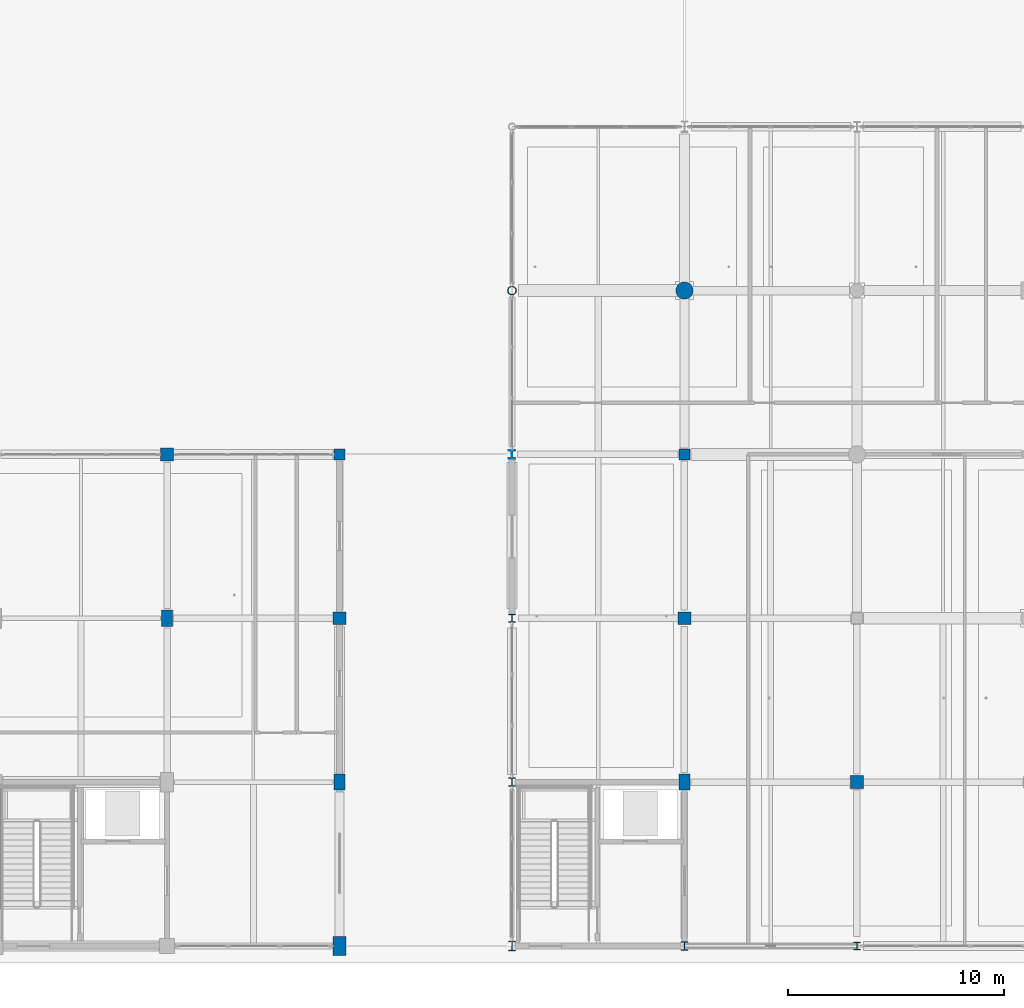
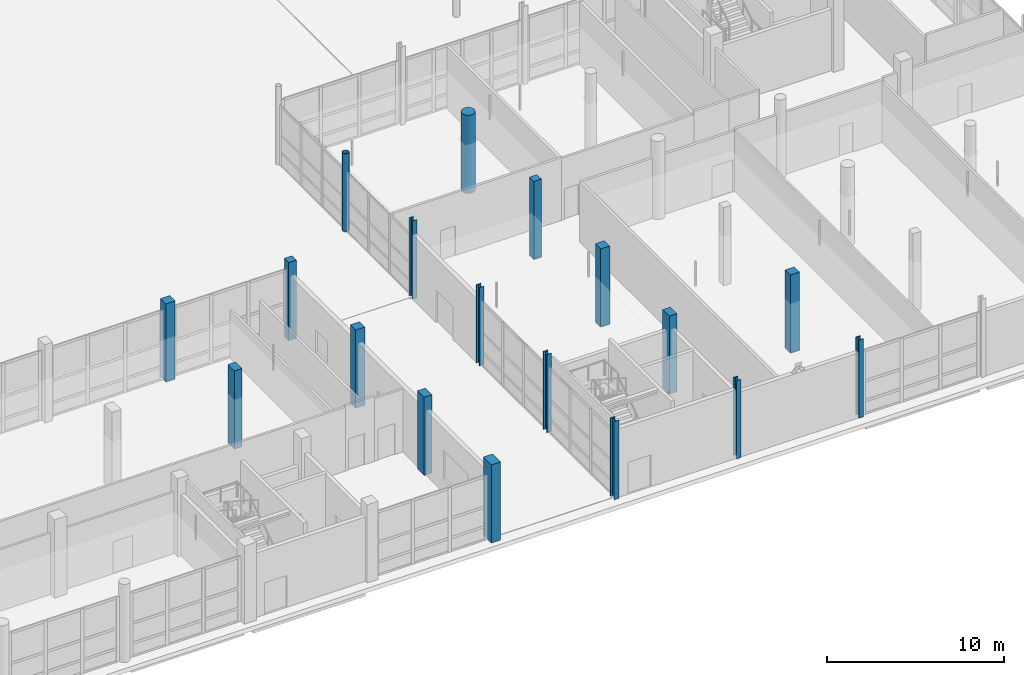
# One storey, part 6 of 126: 18 columns.
"""IFC4 building model written with IfcOpenShell, lengths in metres."""

import ifcopenshell
import ifcopenshell.guid

model = None  # the IFC model being written
_history = None  # IfcOwnerHistory: only IFC2X3 demands one
_inside = {}  # id of a spatial element -> (the spatial element, [elements in it])
_under = {}  # id of a project, library or spatial element -> (it, [spatial elements below it])
_declared = {}  # id of a project -> (the project, [libraries it declares])
_typed = {}  # id of a type object -> (the type object, [elements of that type])
_made_of = {}  # id of a material, layer set ... -> (it, [elements and type objects made of it])


def new_model(schema):
    """Start an empty IFC model of exactly this schema.

    Asked for "IFC4X3", IfcOpenShell would pick the latest addendum, in which some entities
    have other attributes; the version numbers below select the first issue.
    IFC2X3 requires an IfcOwnerHistory on every rooted entity: one is made here for all.
    """
    global model, _history
    if schema == "IFC4X3":
        model = ifcopenshell.file(schema_version=(4, 3, 0, 0))
    else:
        model = ifcopenshell.file(schema=schema)
    _inside.clear()
    _under.clear()
    _declared.clear()
    _typed.clear()
    _made_of.clear()
    _history = None
    if model.schema == "IFC2X3":
        org = make("IfcOrganization", Name="unknown")
        user = make(
            "IfcPersonAndOrganization",
            ThePerson=make("IfcPerson", FamilyName="unknown"),
            TheOrganization=org,
        )
        app = make(
            "IfcApplication",
            ApplicationDeveloper=org,
            Version="unknown",
            ApplicationFullName="unknown",
            ApplicationIdentifier="unknown",
        )
        _history = make(
            "IfcOwnerHistory",
            OwningUser=user,
            OwningApplication=app,
            ChangeAction="ADDED",
            CreationDate=0,
        )
    return model


def make(cls, **values):
    """One entity of the class cls with the attributes given. An attribute that is None is left unset."""
    return model.create_entity(
        cls, **{name: value for name, value in values.items() if value is not None}
    )


def rooted(cls, **values):
    """An entity with a GlobalId (a new one), such as an element, a storey or a relation."""
    return make(cls, GlobalId=ifcopenshell.guid.new(), OwnerHistory=_history, **values)


def si_unit(unit_type, name, prefix=None):
    """IfcSIUnit, for example si_unit("LENGTHUNIT", "METRE", prefix="MILLI")."""
    return make("IfcSIUnit", UnitType=unit_type, Prefix=prefix, Name=name)


def assignment(units):
    """IfcUnitAssignment: the units of a project."""
    return None if units is None else make("IfcUnitAssignment", Units=units)


def point(xyz):
    """IfcCartesianPoint."""
    return None if xyz is None else make("IfcCartesianPoint", Coordinates=xyz)


def direction(xyz):
    """IfcDirection."""
    return None if xyz is None else make("IfcDirection", DirectionRatios=xyz)


def frame(location, z_axis=None, x_axis=None):
    """IfcAxis2Placement3D, a coordinate frame: its origin and axes. An axis left out is left unset."""
    return make(
        "IfcAxis2Placement3D",
        Location=point(location),
        Axis=direction(z_axis),
        RefDirection=direction(x_axis),
    )


def frame_2d(location, x_axis=None):
    """IfcAxis2Placement2D, a coordinate frame in the plane: its origin and x axis."""
    return make(
        "IfcAxis2Placement2D", Location=point(location), RefDirection=direction(x_axis)
    )


def origin():
    """The frame at (0, 0, 0) with its axes left unset."""
    return frame((0.0, 0.0, 0.0))


def origin_2d():
    """The frame at (0, 0) in the plane with its x axis left unset."""
    return frame_2d((0.0, 0.0))


def place(relative_to, where):
    """IfcLocalPlacement: puts the frame where relative to a parent placement (None: the world)."""
    return make(
        "IfcLocalPlacement", PlacementRelTo=relative_to, RelativePlacement=where
    )


def context(
    kind, dimensions, precision=None, world=None, true_north=None, identifier=None
):
    """IfcGeometricRepresentationContext, for example the 3D "Model" context."""
    return make(
        "IfcGeometricRepresentationContext",
        ContextIdentifier=identifier,
        ContextType=kind,
        CoordinateSpaceDimension=dimensions,
        Precision=precision,
        WorldCoordinateSystem=world,
        TrueNorth=true_north,
    )


def subcontext(parent, identifier, kind, view, scale=None):
    """IfcGeometricRepresentationSubContext, for example "Body" below "Model"."""
    return make(
        "IfcGeometricRepresentationSubContext",
        ContextIdentifier=identifier,
        ContextType=kind,
        ParentContext=parent,
        TargetScale=scale,
        TargetView=view,
    )


def project(units=None, contexts=None):
    """IfcProject with its units and contexts."""
    return rooted(
        "IfcProject",
        Name="project",
        RepresentationContexts=contexts,
        UnitsInContext=assignment(units),
    )


def spatial(cls, under=None, at=None, **own):
    """A site, building, storey or space (cls), placed at a placement, below another one or the project."""
    s = rooted(cls, ObjectPlacement=at, **own)
    if under is not None:
        _under.setdefault(under.id(), (under, []))[1].append(s)
    return s


def profile(cls, at=None, kind="AREA", **sizes):
    """A parametric profile (cls). Its sizes go by their IFC names, for example OverallWidth=200.0."""
    return make(cls, ProfileType=kind, Position=at, **sizes)


def rectangle(**sizes):
    """IfcRectangleProfileDef."""
    return profile("IfcRectangleProfileDef", **sizes)


def circle(**sizes):
    """IfcCircleProfileDef."""
    return profile("IfcCircleProfileDef", **sizes)


def hollow_circle(**sizes):
    """IfcCircleHollowProfileDef."""
    return profile("IfcCircleHollowProfileDef", **sizes)


def i_section(**sizes):
    """IfcIShapeProfileDef."""
    return profile("IfcIShapeProfileDef", **sizes)


def extrude(swept, where, along, depth):
    """IfcExtrudedAreaSolid: the profile swept, set in the frame where, extruded along a direction by depth."""
    return make(
        "IfcExtrudedAreaSolid",
        SweptArea=swept,
        Position=where,
        ExtrudedDirection=direction(along),
        Depth=depth,
    )


def shape(context_of_items, identifier, shape_type, items):
    """IfcShapeRepresentation: the items that make up one representation, for example the "Body"."""
    return make(
        "IfcShapeRepresentation",
        ContextOfItems=context_of_items,
        RepresentationIdentifier=identifier,
        RepresentationType=shape_type,
        Items=items,
    )


def material(Name=None, Category=None):
    """IfcMaterial."""
    return make("IfcMaterial", Name=Name, Category=Category)


def material_profile(
    of_material, cross_section, Name=None, Category=None, Priority=None
):
    """IfcMaterialProfile: a cross section and its material."""
    return make(
        "IfcMaterialProfile",
        Name=Name,
        Material=of_material,
        Profile=cross_section,
        Priority=Priority,
        Category=Category,
    )


def profile_set(profiles, Name=None, composite=None):
    """IfcMaterialProfileSet."""
    return make(
        "IfcMaterialProfileSet",
        Name=Name,
        MaterialProfiles=profiles,
        CompositeProfile=composite,
    )


def made_of(thing, what):
    """Note that an element or type object is made of a material, layer set ...; save() writes the relation."""
    if what is not None:
        _made_of.setdefault(what.id(), (what, []))[1].append(thing)
    return thing


def type_object(cls, material=None, **own):
    """A type object (cls), such as IfcWallType, which elements share."""
    return made_of(rooted(cls, **own), material)


def element(
    cls,
    number,
    at=None,
    inside=None,
    cuts=None,
    type_object=None,
    material=None,
    context=None,
    identifier="Body",
    shape_type=None,
    held_by="IfcProductDefinitionShape",
    body=None,
    shapes=None,
    **own,
):
    """One element of the class cls, such as IfcWall. Its Tag is "e" and its number.

    at: its placement. inside: the storey or other place that contains it. cuts: it is an
    opening in that element (IfcRelVoidsElement). A single representation is given by context,
    identifier, shape_type and body (its items); several are given by shapes. held_by: the class
    of the entity that holds the representations. save() writes the other relations.
    """
    e = rooted(cls, Tag="e%d" % number, ObjectPlacement=at, **own)
    if body is not None:
        shapes = [shape(context, identifier, shape_type, body)]
    if shapes is not None:
        e.Representation = make(held_by, Representations=shapes)
    if inside is not None:
        _inside.setdefault(inside.id(), (inside, []))[1].append(e)
    if cuts is not None:
        rooted(
            "IfcRelVoidsElement", RelatingBuildingElement=cuts, RelatedOpeningElement=e
        )
    if type_object is not None:
        _typed.setdefault(type_object.id(), (type_object, []))[1].append(e)
    return made_of(e, material)


def aggregate(whole, parts):
    """IfcRelAggregates: a whole, such as a stair, and the parts it consists of."""
    return rooted("IfcRelAggregates", RelatingObject=whole, RelatedObjects=parts)


def save(model, path):
    """Write the relations noted so far, then the file.

    IfcRelAggregates (storeys below a building ...), IfcRelContainedInSpatialStructure (elements
    in a storey), IfcRelDefinesByType, IfcRelAssociatesMaterial and IfcRelDeclares: one each for
    every whole, place, type object, material and project.
    """
    for whole, parts in _under.values():
        aggregate(whole, parts)
    for where, things in _inside.values():
        rooted(
            "IfcRelContainedInSpatialStructure",
            RelatedElements=things,
            RelatingStructure=where,
        )
    for kind, things in _typed.values():
        rooted("IfcRelDefinesByType", RelatedObjects=things, RelatingType=kind)
    for what, things in _made_of.values():
        rooted("IfcRelAssociatesMaterial", RelatedObjects=things, RelatingMaterial=what)
    for by, libraries in _declared.values():
        rooted("IfcRelDeclares", RelatingContext=by, RelatedDefinitions=libraries)
    model.write(path)


model = new_model("IFC4")

# Units and contexts
model_context = context("Model", 3, precision=1e-05, world=origin(), true_north=direction((0.0, 1.0)))
body_context = subcontext(model_context, "Body", "Model", "MODEL_VIEW")
ifc_project = project(units=[si_unit("LENGTHUNIT", "METRE"), si_unit("AREAUNIT", "SQUARE_METRE"), si_unit("VOLUMEUNIT", "CUBIC_METRE"), si_unit("PLANEANGLEUNIT", "RADIAN"), si_unit("MASSUNIT", "GRAM", prefix="KILO")], contexts=[model_context])

# Site, building, storey
site_placement = place(None, origin())
site = spatial("IfcSite", under=ifc_project, at=site_placement, CompositionType="ELEMENT")
building_placement = place(site_placement, origin())
building = spatial("IfcBuilding", under=site, at=building_placement, Name="Khelvaren Railside Concert Hall", CompositionType="ELEMENT")
storey_placement = place(building_placement, origin())
storey = spatial("IfcBuildingStorey", under=building, at=storey_placement, Name="L00", CompositionType="ELEMENT", Elevation=0.0)

# Columns
ifc_material_1 = material(Name="Concrete C45/55", Category="concrete")
ifc_material_profile_1 = material_profile(ifc_material_1, rectangle(XDim=0.60009765625, YDim=0.60009765625, at=origin_2d()), Name="RC 600x600")
ifc_profile_set_1 = profile_set([ifc_material_profile_1], Name="Concrete C45/55")
column_type_1 = type_object("IfcColumnType", Name="COL11", PredefinedType="COLUMN", material=ifc_profile_set_1)
for number, where, z_axis, x_axis, name in (
    (1, (128.0, 22.800048828125, 0.0), (0.0, 0.0, 1.0), (1.0, 0.0, 0.0), "V3 L00 Column (128.0,22.8)"),
    (2, (136.0, 15.199951171875, 0.0), (0.0, 0.0, 1.0), (1.0, 0.0, 0.0), "V3 L00 Column (136.0,15.2)"),
):
    element("IfcColumn", number, at=place(storey_placement, frame(where, z_axis=z_axis, x_axis=x_axis)), inside=storey, type_object=column_type_1, Name=name, PredefinedType="COLUMN", context=body_context, shape_type="SweptSolid", body=[
        extrude(rectangle(XDim=0.60009765625, YDim=0.60009765625, at=origin_2d()), origin(), (0.0, 0.0, 1.0), 5.39990234375),
    ])
ifc_material_2 = material(Name="Steel S355", Category="steel")
ifc_material_profile_2 = material_profile(ifc_material_2, i_section(OverallWidth=0.300048828125, OverallDepth=0.360107421875, WebThickness=0.012451171875, FlangeThickness=0.0224609375, FilletRadius=0.027099609375, at=origin_2d()), Name="HEB 360")
ifc_profile_set_2 = profile_set([ifc_material_profile_2], Name="Steel S355")
column_type_2 = type_object("IfcColumnType", Name="COL12", PredefinedType="COLUMN", material=ifc_profile_set_2)
for number, where, z_axis, x_axis, name in (
    (3, (144.0, 15.199951171875, 0.0), (0.0, 0.0, 1.0), (1.0, 0.0, 0.0), "V2 L00 Column (144.0,15.2)"),
    (4, (160.0, 0.0, 0.0), (0.0, 0.0, 1.0), (1.0, 0.0, 0.0), "V2 L00 Column (160.0,0.0)"),
):
    element("IfcColumn", number, at=place(storey_placement, frame(where, z_axis=z_axis, x_axis=x_axis)), inside=storey, type_object=column_type_2, Name=name, PredefinedType="COLUMN", context=body_context, shape_type="SweptSolid", body=[
        extrude(i_section(OverallWidth=0.300048828125, OverallDepth=0.360107421875, WebThickness=0.012451171875, FlangeThickness=0.0224609375, FilletRadius=0.027099609375, at=origin_2d()), origin(), (0.0, 0.0, 1.0), 5.39990234375),
    ])
ifc_material_profile_3 = material_profile(ifc_material_1, circle(Radius=0.39990234375, at=origin_2d()), Name="RC D800")
ifc_profile_set_3 = profile_set([ifc_material_profile_3], Name="Concrete C45/55")
column_type_3 = type_object("IfcColumnType", Name="COL14", PredefinedType="COLUMN", material=ifc_profile_set_3)
column_1_placement = place(storey_placement, frame((152.0, 30.39990234375, 0.0), z_axis=(0.0, 0.0, 1.0), x_axis=(1.0, 0.0, 0.0)))
element("IfcColumn", 5, at=column_1_placement, inside=storey, type_object=column_type_3, Name="V2 L00 Column (152.0,30.4)", PredefinedType="COLUMN", context=body_context, shape_type="SweptSolid", body=[
    extrude(circle(Radius=0.39990234375, at=origin_2d()), origin(), (0.0, 0.0, 1.0), 5.39990234375),
])
ifc_material_profile_4 = material_profile(ifc_material_2, i_section(OverallWidth=0.300048828125, OverallDepth=0.389892578125, WebThickness=0.010986328125, FlangeThickness=0.01904296875, FilletRadius=0.027099609375, at=origin_2d()), Name="HEA 400")
ifc_profile_set_4 = profile_set([ifc_material_profile_4], Name="Steel S355")
column_type_4 = type_object("IfcColumnType", Name="COL23", PredefinedType="COLUMN", material=ifc_profile_set_4)
column_2_placement = place(storey_placement, frame((144.0, 22.800048828125, 0.0), z_axis=(0.0, 0.0, 1.0), x_axis=(1.0, 0.0, 0.0)))
element("IfcColumn", 6, at=column_2_placement, inside=storey, type_object=column_type_4, Name="V2 L00 Column (144.0,22.8)", PredefinedType="COLUMN", context=body_context, shape_type="SweptSolid", body=[
    extrude(i_section(OverallWidth=0.300048828125, OverallDepth=0.389892578125, WebThickness=0.010986328125, FlangeThickness=0.01904296875, FilletRadius=0.027099609375, at=origin_2d()), origin(), (0.0, 0.0, 1.0), 5.39990234375),
])
ifc_material_profile_5 = material_profile(ifc_material_2, hollow_circle(Radius=0.203125, WallThickness=0.02001953125, at=origin_2d()), Name="CHS 406.4x20")
ifc_profile_set_5 = profile_set([ifc_material_profile_5], Name="Steel S355")
column_type_5 = type_object("IfcColumnType", Name="COL27", PredefinedType="COLUMN", material=ifc_profile_set_5)
column_3_placement = place(storey_placement, frame((144.0, 30.39990234375, 0.0), z_axis=(0.0, 0.0, 1.0), x_axis=(1.0, 0.0, 0.0)))
element("IfcColumn", 7, at=column_3_placement, inside=storey, type_object=column_type_5, Name="V2 L00 Column (144.0,30.4)", PredefinedType="COLUMN", context=body_context, shape_type="SweptSolid", body=[
    extrude(hollow_circle(Radius=0.203125, WallThickness=0.02001953125, at=origin_2d()), origin(), (0.0, 0.0, 1.0), 5.39990234375),
])
ifc_material_profile_6 = material_profile(ifc_material_1, rectangle(XDim=0.60009765625, YDim=0.60009765625, at=origin_2d()), Name="RC 600x600")
ifc_profile_set_6 = profile_set([ifc_material_profile_6], Name="Concrete C45/55")
column_type_6 = type_object("IfcColumnType", Name="COL29", PredefinedType="COLUMN", material=ifc_profile_set_6)
for number, where, z_axis, x_axis, name in (
    (8, (152.0, 15.199951171875, 0.0), (0.0, 0.0, 1.0), (1.0, 0.0, 0.0), "V2 L00 Column (152.0,15.2)"),
    (9, (160.0, 7.60009765625, 0.0), (0.0, 0.0, 1.0), (1.0, 0.0, 0.0), "V2 L00 Column (160.0,7.6)"),
):
    element("IfcColumn", number, at=place(storey_placement, frame(where, z_axis=z_axis, x_axis=x_axis)), inside=storey, type_object=column_type_6, Name=name, PredefinedType="COLUMN", context=body_context, shape_type="SweptSolid", body=[
        extrude(rectangle(XDim=0.60009765625, YDim=0.60009765625, at=origin_2d()), origin(), (0.0, 0.0, 1.0), 5.39990234375),
    ])
ifc_material_profile_7 = material_profile(ifc_material_1, rectangle(XDim=0.5, YDim=0.5, at=origin_2d()), Name="RC 500x500")
ifc_profile_set_7 = profile_set([ifc_material_profile_7], Name="Concrete C45/55")
column_type_7 = type_object("IfcColumnType", Name="COL35", PredefinedType="COLUMN", material=ifc_profile_set_7)
column_4_placement = place(storey_placement, frame((136.0, 22.800048828125, 0.0), z_axis=(0.0, 0.0, 1.0), x_axis=(1.0, 0.0, 0.0)))
element("IfcColumn", 10, at=column_4_placement, inside=storey, type_object=column_type_7, Name="V3 L00 Column (136.0,22.8)", PredefinedType="COLUMN", context=body_context, shape_type="SweptSolid", body=[
    extrude(rectangle(XDim=0.5, YDim=0.5, at=origin_2d()), origin(), (0.0, 0.0, 1.0), 5.39990234375),
])
ifc_material_profile_8 = material_profile(ifc_material_1, rectangle(XDim=0.5, YDim=0.75, at=origin_2d()), Name="RC 500x750")
ifc_profile_set_8 = profile_set([ifc_material_profile_8], Name="Concrete C45/55")
column_type_8 = type_object("IfcColumnType", Name="COL36", PredefinedType="COLUMN", material=ifc_profile_set_8)
for number, where, z_axis, x_axis, name in (
    (11, (152.0, 7.60009765625, 0.0), (0.0, 0.0, 1.0), (1.0, 0.0, 0.0), "V2 L00 Column (152.0,7.6)"),
    (12, (128.0, 15.199951171875, 0.0), (0.0, 0.0, 1.0), (1.0, 0.0, 0.0), "V3 L00 Column (128.0,15.2)"),
):
    element("IfcColumn", number, at=place(storey_placement, frame(where, z_axis=z_axis, x_axis=x_axis)), inside=storey, type_object=column_type_8, Name=name, PredefinedType="COLUMN", context=body_context, shape_type="SweptSolid", body=[
        extrude(rectangle(XDim=0.5, YDim=0.75, at=origin_2d()), origin(), (0.0, 0.0, 1.0), 5.39990234375),
    ])
ifc_material_profile_9 = material_profile(ifc_material_2, i_section(OverallWidth=0.300048828125, OverallDepth=0.449951171875, WebThickness=0.013916015625, FlangeThickness=0.02587890625, FilletRadius=0.027099609375, at=origin_2d()), Name="HEB 450")
ifc_profile_set_9 = profile_set([ifc_material_profile_9], Name="Steel S355")
column_type_9 = type_object("IfcColumnType", Name="COL77", PredefinedType="COLUMN", material=ifc_profile_set_9)
column_5_placement = place(storey_placement, frame((144.0, 0.0, 0.0), z_axis=(0.0, 0.0, 1.0), x_axis=(1.0, 0.0, 0.0)))
element("IfcColumn", 13, at=column_5_placement, inside=storey, type_object=column_type_9, Name="V2 L00 Column (144.0,0.0)", PredefinedType="COLUMN", context=body_context, shape_type="SweptSolid", body=[
    extrude(i_section(OverallWidth=0.300048828125, OverallDepth=0.449951171875, WebThickness=0.013916015625, FlangeThickness=0.02587890625, FilletRadius=0.027099609375, at=origin_2d()), origin(), (0.0, 0.0, 1.0), 5.39990234375),
])
ifc_material_profile_10 = material_profile(ifc_material_1, rectangle(XDim=0.5, YDim=0.5, at=origin_2d()), Name="RC 500x500")
ifc_profile_set_10 = profile_set([ifc_material_profile_10], Name="Concrete C45/55")
column_type_10 = type_object("IfcColumnType", Name="COL84", PredefinedType="COLUMN", material=ifc_profile_set_10)
column_6_placement = place(storey_placement, frame((152.0, 22.800048828125, 0.0), z_axis=(0.0, 0.0, 1.0), x_axis=(1.0, 0.0, 0.0)))
element("IfcColumn", 14, at=column_6_placement, inside=storey, type_object=column_type_10, Name="V2 L00 Column (152.0,22.8)", PredefinedType="COLUMN", context=body_context, shape_type="SweptSolid", body=[
    extrude(rectangle(XDim=0.5, YDim=0.5, at=origin_2d()), origin(), (0.0, 0.0, 1.0), 5.39990234375),
])
ifc_material_profile_11 = material_profile(ifc_material_2, i_section(OverallWidth=0.300048828125, OverallDepth=0.39990234375, WebThickness=0.013427734375, FlangeThickness=0.02392578125, FilletRadius=0.027099609375, at=origin_2d()), Name="HEB 400")
ifc_profile_set_11 = profile_set([ifc_material_profile_11], Name="Steel S355")
column_type_11 = type_object("IfcColumnType", Name="COL88", PredefinedType="COLUMN", material=ifc_profile_set_11)
for number, where, z_axis, x_axis, name in (
    (15, (144.0, 7.60009765625, 0.0), (0.0, 0.0, 1.0), (1.0, 0.0, 0.0), "V2 L00 Column (144.0,7.6)"),
    (16, (152.0, 0.0, 0.0), (0.0, 0.0, 1.0), (1.0, 0.0, 0.0), "V2 L00 Column (152.0,0.0)"),
):
    element("IfcColumn", number, at=place(storey_placement, frame(where, z_axis=z_axis, x_axis=x_axis)), inside=storey, type_object=column_type_11, Name=name, PredefinedType="COLUMN", context=body_context, shape_type="SweptSolid", body=[
        extrude(i_section(OverallWidth=0.300048828125, OverallDepth=0.39990234375, WebThickness=0.013427734375, FlangeThickness=0.02392578125, FilletRadius=0.027099609375, at=origin_2d()), origin(), (0.0, 0.0, 1.0), 5.39990234375),
    ])
ifc_material_profile_12 = material_profile(ifc_material_1, rectangle(XDim=0.60009765625, YDim=0.89990234375, at=origin_2d()), Name="RC 600x900")
ifc_profile_set_12 = profile_set([ifc_material_profile_12], Name="Concrete C45/55")
column_type_12 = type_object("IfcColumnType", Name="COL95", PredefinedType="COLUMN", material=ifc_profile_set_12)
column_7_placement = place(storey_placement, frame((136.0, 0.0, 0.0), z_axis=(0.0, 0.0, 1.0), x_axis=(1.0, 0.0, 0.0)))
element("IfcColumn", 17, at=column_7_placement, inside=storey, type_object=column_type_12, Name="V3 L00 Column (136.0,0.0)", PredefinedType="COLUMN", context=body_context, shape_type="SweptSolid", body=[
    extrude(rectangle(XDim=0.60009765625, YDim=0.89990234375, at=origin_2d()), origin(), (0.0, 0.0, 1.0), 5.39990234375),
])
ifc_material_profile_13 = material_profile(ifc_material_1, rectangle(XDim=0.5, YDim=0.75, at=origin_2d()), Name="RC 500x750")
ifc_profile_set_13 = profile_set([ifc_material_profile_13], Name="Concrete C45/55")
column_type_13 = type_object("IfcColumnType", Name="COL97", PredefinedType="COLUMN", material=ifc_profile_set_13)
column_8_placement = place(storey_placement, frame((136.0, 7.60009765625, 0.0), z_axis=(0.0, 0.0, 1.0), x_axis=(1.0, 0.0, 0.0)))
element("IfcColumn", 18, at=column_8_placement, inside=storey, type_object=column_type_13, Name="V3 L00 Column (136.0,7.6)", PredefinedType="COLUMN", context=body_context, shape_type="SweptSolid", body=[
    extrude(rectangle(XDim=0.5, YDim=0.75, at=origin_2d()), origin(), (0.0, 0.0, 1.0), 5.39990234375),
])

save(model, "model.ifc")
